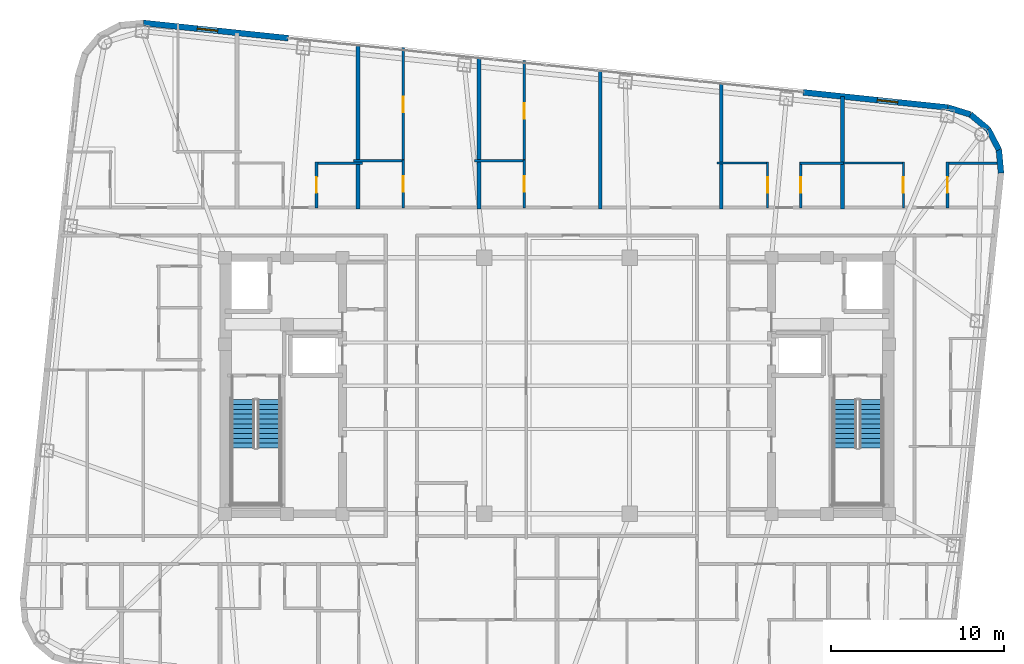
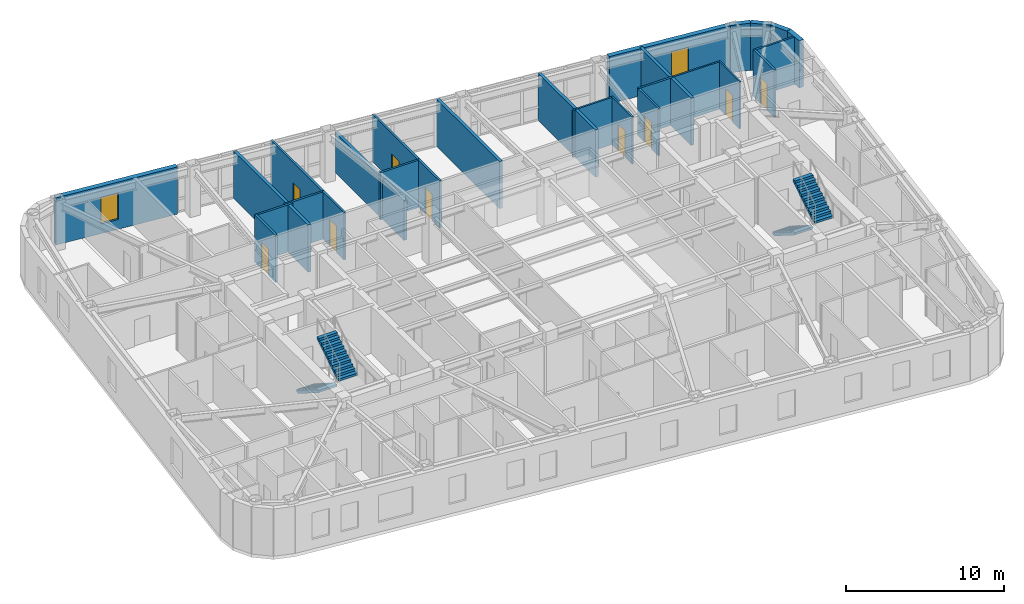
# One storey, part 13 of 16: 27 walls, 9 doors, 4 stair flights, 2 windows, 11 openings, 2 elements without a shape of their own.
"""IFC4 building model written with IfcOpenShell, lengths in metres."""

from ifc_helpers import new_model, si_unit, direction, frame, frame_2d, origin, place, context, subcontext, project, spatial, polyline, rectangle, outline, extrude, material, layer, layer_set, type_object, element, fill, aggregate, save


model = new_model("IFC4")

# Units and contexts
model_context = context("Model", 3, precision=1e-05, world=origin(), true_north=direction((0.0, 1.0)))
body_context = subcontext(model_context, "Body", "Model", "MODEL_VIEW")
ifc_project = project(units=[si_unit("LENGTHUNIT", "METRE"), si_unit("AREAUNIT", "SQUARE_METRE"), si_unit("VOLUMEUNIT", "CUBIC_METRE"), si_unit("PLANEANGLEUNIT", "RADIAN"), si_unit("MASSUNIT", "GRAM", prefix="KILO")], contexts=[model_context])

# Site, building, storey
site_placement = place(None, origin())
site = spatial("IfcSite", under=ifc_project, at=site_placement, CompositionType="ELEMENT")
building_placement = place(site_placement, origin())
building = spatial("IfcBuilding", under=site, at=building_placement, Name="Voryun Gate Residences", CompositionType="ELEMENT")
storey_placement = place(building_placement, frame((0.0, 0.0, 267.800048828125)))
storey = spatial("IfcBuildingStorey", under=building, at=storey_placement, Name="L66", CompositionType="ELEMENT", Elevation=267.800048828125)

# Wall, opening, window
ifc_material_1 = material(Name="Charcoal terracotta masonry", Category="masonry")
ifc_layer_1 = layer(ifc_material_1, 0.340087890625, Name="W_EXT_TERRACOTTA_340")
ifc_layer_set_1 = layer_set([ifc_layer_1], Name="Charcoal terracotta masonry")
wall_type_1 = type_object("IfcWallType", Name="W_EXT_TERRACOTTA_340", PredefinedType="ELEMENTEDWALL", material=ifc_layer_set_1)
wall_1_placement = place(storey_placement, frame((-23.90771484375, 20.97216796875, 0.0), z_axis=(0.0, 0.0, 1.0), x_axis=(0.994522285292, -0.104524753323, 0.0)))
wall_1 = element("IfcWall", 1, at=wall_1_placement, inside=storey, type_object=wall_type_1, Name="Exterior wall WEXT-L66-11A", PredefinedType="ELEMENTEDWALL", context=body_context, shape_type="SweptSolid", body=[
    extrude(rectangle(XDim=8.41796875, YDim=0.340087890625, at=frame_2d((4.208984375, 0.0))), origin(), (0.0, 0.0, 1.0), 3.64990234375),
])
opening_1_placement = place(wall_1_placement, frame((3.12548828125, 0.0, 0.75)))
opening_1 = element("IfcOpeningElement", 2, at=opening_1_placement, cuts=wall_1, Name="Opening WN6", PredefinedType="OPENING", context=body_context, shape_type="SweptSolid", body=[
    extrude(rectangle(XDim=1.199951171875, YDim=2.050048828125, at=frame_2d((0.60009765625, 1.02490234375))), frame((0.0, 0.179931640625, 0.0), z_axis=(0.0, -1.0, 0.0), x_axis=(1.0, 0.0, 0.0)), (0.0, 0.0, 1.0), 0.360107421875),
])
ifc_material_2 = material(Name="Laminated low-E glass", Category="glass")
window_type = type_object("IfcWindowType", Name="WN_POD_SLOT_1200", PartitioningType="SINGLE_PANEL", PredefinedType="WINDOW", material=ifc_material_2)
window_1_placement = place(opening_1_placement, origin())
window_1 = element("IfcWindow", 3, at=window_1_placement, inside=storey, type_object=window_type, Name="Window WN-L66-DWFIX-02", OverallHeight=2.050048828125, OverallWidth=1.199951171875, PartitioningType="SINGLE_PANEL", PredefinedType="WINDOW", context=body_context, shape_type="SweptSolid", body=[
    extrude(rectangle(XDim=1.199951171875, YDim=2.050048828125, at=frame_2d((0.60009765625, 1.02490234375))), frame((0.0, 0.030029296875, 0.0), z_axis=(0.0, -1.0, 0.0), x_axis=(1.0, 0.0, 0.0)), (0.0, 0.0, 1.0), 0.06005859375),
])
fill(opening_1, window_1)

wall_2_placement = place(storey_placement, frame((14.230712890625, 16.963623046875, 0.0), z_axis=(0.0, 0.0, 1.0), x_axis=(0.994522285292, -0.104524753323, 0.0)))
wall_2 = element("IfcWall", 4, at=wall_2_placement, inside=storey, type_object=wall_type_1, Name="Exterior wall WEXT-L66-11B", PredefinedType="ELEMENTEDWALL", context=body_context, shape_type="SweptSolid", body=[
    extrude(rectangle(XDim=8.41796875, YDim=0.340087890625, at=frame_2d((4.208984375, 0.0))), origin(), (0.0, 0.0, 1.0), 3.64990234375),
])
opening_2_placement = place(wall_2_placement, frame((4.3046875, 0.0, 0.75)))
opening_2 = element("IfcOpeningElement", 5, at=opening_2_placement, cuts=wall_2, Name="Opening WN6", PredefinedType="OPENING", context=body_context, shape_type="SweptSolid", body=[
    extrude(rectangle(XDim=1.199951171875, YDim=2.050048828125, at=frame_2d((0.60009765625, 1.02490234375))), frame((0.0, 0.179931640625, 0.0), z_axis=(0.0, -1.0, 0.0), x_axis=(1.0, 0.0, 0.0)), (0.0, 0.0, 1.0), 0.360107421875),
])
window_2_placement = place(opening_2_placement, origin())
window_2 = element("IfcWindow", 6, at=window_2_placement, inside=storey, type_object=window_type, Name="Window WN-L66-DWFIX-03", OverallHeight=2.050048828125, OverallWidth=1.199951171875, PartitioningType="SINGLE_PANEL", PredefinedType="WINDOW", context=body_context, shape_type="SweptSolid", body=[
    extrude(rectangle(XDim=1.199951171875, YDim=2.050048828125, at=frame_2d((0.60009765625, 1.02490234375))), frame((0.0, 0.030029296875, 0.0), z_axis=(0.0, -1.0, 0.0), x_axis=(1.0, 0.0, 0.0)), (0.0, 0.0, 1.0), 0.06005859375),
])
fill(opening_2, window_2)

# Walls
wall_3_placement = place(storey_placement, frame((22.6025390625, 16.083740234375, 0.0), z_axis=(0.0, 0.0, 1.0), x_axis=(0.955007802701, -0.296580674994, 0.0)))
element("IfcWall", 7, at=wall_3_placement, inside=storey, type_object=wall_type_1, Name="Exterior wall WEXT-L66-12", PredefinedType="ELEMENTEDWALL", context=body_context, shape_type="SweptSolid", body=[
    extrude(rectangle(XDim=1.354248046875, YDim=0.340087890625, at=frame_2d((0.67724609375, 0.0))), origin(), (0.0, 0.0, 1.0), 3.64990234375),
])
for number, where, z_axis, x_axis, name in (
    (8, (23.895751953125, 15.68212890625, 0.0), (0.0, 0.0, 1.0), (0.768789762863, -0.639501603217, 0.0), "Exterior wall WEXT-L66-13"),
    (9, (24.923583984375, 14.8271484375, 0.0), (0.0, 0.0, 1.0), (0.46567116636, -0.884957832228, 0.0), "Exterior wall WEXT-L66-14"),
):
    element("IfcWall", number, at=place(storey_placement, frame(where, z_axis=z_axis, x_axis=x_axis)), inside=storey, type_object=wall_type_1, Name=name, PredefinedType="ELEMENTEDWALL", context=body_context, shape_type="SweptSolid", body=[
        extrude(rectangle(XDim=1.3369140625, YDim=0.340087890625, at=frame_2d((0.66845703125, 0.0))), origin(), (0.0, 0.0, 1.0), 3.64990234375),
    ])
wall_4_placement = place(storey_placement, frame((25.546142578125, 13.64404296875, 0.0), z_axis=(0.0, 0.0, 1.0), x_axis=(0.091592370975, -0.995796584438, 0.0)))
element("IfcWall", 10, at=wall_4_placement, inside=storey, type_object=wall_type_1, Name="Exterior wall WEXT-L66-15", PredefinedType="ELEMENTEDWALL", context=body_context, shape_type="SweptSolid", body=[
    extrude(rectangle(XDim=1.35400390625, YDim=0.340087890625, at=frame_2d((0.677001953125, 0.0))), origin(), (0.0, 0.0, 1.0), 3.64990234375),
])
ifc_material_3 = material(Name="Concrete C40/50", Category="concrete")
ifc_layer_2 = layer(ifc_material_3, 0.219970703125, Name="W_PARTY_ACOUSTIC_220")
ifc_layer_set_2 = layer_set([ifc_layer_2], Name="Concrete C40/50")
wall_type_2 = type_object("IfcWallType", Name="W_PARTY_ACOUSTIC_220", PredefinedType="PARTITIONING", material=ifc_layer_set_2)
wall_5_placement = place(storey_placement, frame((-11.5, 10.219970703125, 0.0), z_axis=(0.0, 0.0, 1.0), x_axis=(0.0, 1.0, 0.0)))
element("IfcWall", 11, at=wall_5_placement, inside=storey, type_object=wall_type_2, Name="Partition wall WP-L66-NPTY-2", PredefinedType="PARTITIONING", context=body_context, shape_type="SweptSolid", body=[
    extrude(rectangle(XDim=9.447998046875, YDim=0.219970703125, at=frame_2d((4.72412109375, 0.0))), origin(), (0.0, 0.0, 1.0), 3.64990234375),
])
wall_6_placement = place(storey_placement, frame((-4.5, 10.219970703125, 0.0), z_axis=(0.0, 0.0, 1.0), x_axis=(0.0, 1.0, 0.0)))
element("IfcWall", 12, at=wall_6_placement, inside=storey, type_object=wall_type_2, Name="Partition wall WP-L66-NPTY-3", PredefinedType="PARTITIONING", context=body_context, shape_type="SweptSolid", body=[
    extrude(rectangle(XDim=8.71240234375, YDim=0.219970703125, at=frame_2d((4.356201171875, 0.0))), origin(), (0.0, 0.0, 1.0), 3.08984375),
])
wall_7_placement = place(storey_placement, frame((2.5, 10.219970703125, 0.0), z_axis=(0.0, 0.0, 1.0), x_axis=(0.0, 1.0, 0.0)))
element("IfcWall", 13, at=wall_7_placement, inside=storey, type_object=wall_type_2, Name="Partition wall WP-L66-NPTY-4", PredefinedType="PARTITIONING", context=body_context, shape_type="SweptSolid", body=[
    extrude(rectangle(XDim=7.9765625, YDim=0.219970703125, at=frame_2d((3.98828125, 0.0))), origin(), (0.0, 0.0, 1.0), 3.64990234375),
])
wall_8_placement = place(storey_placement, frame((9.5, 10.219970703125, 0.0), z_axis=(0.0, 0.0, 1.0), x_axis=(0.0, 1.0, 0.0)))
element("IfcWall", 14, at=wall_8_placement, inside=storey, type_object=wall_type_2, Name="Partition wall WP-L66-NPTY-5", PredefinedType="PARTITIONING", context=body_context, shape_type="SweptSolid", body=[
    extrude(rectangle(XDim=7.240966796875, YDim=0.219970703125, at=frame_2d((3.62060546875, 0.0))), origin(), (0.0, 0.0, 1.0), 3.64990234375),
])
wall_9_placement = place(storey_placement, frame((16.5, 10.219970703125, 0.0), z_axis=(0.0, 0.0, 1.0), x_axis=(0.0, 1.0, 0.0)))
element("IfcWall", 15, at=wall_9_placement, inside=storey, type_object=wall_type_2, Name="Partition wall WP-L66-NPTY-6", PredefinedType="PARTITIONING", context=body_context, shape_type="SweptSolid", body=[
    extrude(rectangle(XDim=6.505126953125, YDim=0.219970703125, at=frame_2d((3.25244140625, 0.0))), origin(), (0.0, 0.0, 1.0), 3.64990234375),
])

# Wall, opening, door
ifc_material_4 = material(Name="Gypsum acoustic partition")
ifc_layer_3 = layer(ifc_material_4, 0.125, Name="W_UNIT_PART_125")
ifc_layer_set_3 = layer_set([ifc_layer_3], Name="Gypsum acoustic partition")
wall_type_3 = type_object("IfcWallType", Name="W_UNIT_PART_125", PredefinedType="PARTITIONING", material=ifc_layer_set_3)
wall_10_placement = place(storey_placement, frame((12.174072265625, 10.280029296875, 0.0), z_axis=(0.0, 0.0, 1.0), x_axis=(0.0, 1.0, 0.0)))
wall_10 = element("IfcWall", 16, at=wall_10_placement, inside=storey, type_object=wall_type_3, Name="Partition wall WP-L66-N6-CVK", PredefinedType="PARTITIONING", context=body_context, shape_type="SweptSolid", body=[
    extrude(rectangle(XDim=2.64990234375, YDim=0.125, at=frame_2d((1.324951171875, 0.0))), origin(), (0.0, 0.0, 1.0), 3.64990234375),
])
opening_3_placement = place(wall_10_placement, frame((0.875, 0.0, 0.0)))
opening_3 = element("IfcOpeningElement", 17, at=opening_3_placement, cuts=wall_10, Name="Opening D-INT-2", PredefinedType="OPENING", context=body_context, shape_type="SweptSolid", body=[
    extrude(rectangle(XDim=0.89990234375, YDim=2.050048828125, at=frame_2d((0.449951171875, 1.02490234375))), frame((0.0, 0.072509765625, 0.0), z_axis=(0.0, -1.0, 0.0), x_axis=(1.0, 0.0, 0.0)), (0.0, 0.0, 1.0), 0.14501953125),
])
ifc_material_5 = material(Name="Architectural oak veneer")
door_type = type_object("IfcDoorType", Name="DR_INT_BATH_900", OperationType="NOTDEFINED", PredefinedType="DOOR", material=ifc_material_5)
door_1_placement = place(opening_3_placement, origin())
door_1 = element("IfcDoor", 18, at=door_1_placement, inside=storey, type_object=door_type, Name="Door DR-L66-N6-DK", OperationType="SINGLE_SWING_LEFT", OverallHeight=2.050048828125, OverallWidth=0.89990234375, PredefinedType="DOOR", context=body_context, shape_type="SweptSolid", body=[
    extrude(rectangle(XDim=0.89990234375, YDim=2.050048828125, at=frame_2d((0.449951171875, 1.02490234375))), frame((0.0, 0.02490234375, 0.0), z_axis=(0.0, -1.0, 0.0), x_axis=(1.0, 0.0, 0.0)), (0.0, 0.0, 1.0), 0.050048828125),
])
fill(opening_3, door_1)

# Wall
wall_11_placement = place(storey_placement, frame((9.239990234375, 12.8701171875, 0.0), z_axis=(0.0, 0.0, 1.0), x_axis=(1.0, 0.0, 0.0)))
element("IfcWall", 19, at=wall_11_placement, inside=storey, type_object=wall_type_3, Name="Partition wall WP-L66-N6-CHK", PredefinedType="PARTITIONING", context=body_context, shape_type="SweptSolid", body=[
    extrude(rectangle(XDim=2.993896484375, YDim=0.125, at=frame_2d((1.4970703125, 0.0))), origin(), (0.0, 0.0, 1.0), 3.64990234375),
])

# Wall, opening, door
wall_12_placement = place(storey_placement, frame((20.02392578125, 10.280029296875, 0.0), z_axis=(0.0, 0.0, 1.0), x_axis=(0.0, 1.0, 0.0)))
wall_12 = element("IfcWall", 20, at=wall_12_placement, inside=storey, type_object=wall_type_3, Name="Partition wall WP-L66-N7-CVK", PredefinedType="PARTITIONING", context=body_context, shape_type="SweptSolid", body=[
    extrude(rectangle(XDim=2.64990234375, YDim=0.125, at=frame_2d((1.324951171875, 0.0))), origin(), (0.0, 0.0, 1.0), 3.64990234375),
])
opening_4_placement = place(wall_12_placement, frame((0.875, 0.0, 0.0)))
opening_4 = element("IfcOpeningElement", 21, at=opening_4_placement, cuts=wall_12, Name="Opening D-INT-2", PredefinedType="OPENING", context=body_context, shape_type="SweptSolid", body=[
    extrude(rectangle(XDim=0.89990234375, YDim=2.050048828125, at=frame_2d((0.449951171875, 1.02490234375))), frame((0.0, 0.072509765625, 0.0), z_axis=(0.0, -1.0, 0.0), x_axis=(1.0, 0.0, 0.0)), (0.0, 0.0, 1.0), 0.14501953125),
])
door_2_placement = place(opening_4_placement, origin())
door_2 = element("IfcDoor", 22, at=door_2_placement, inside=storey, type_object=door_type, Name="Door DR-L66-N7-DK", OperationType="SINGLE_SWING_LEFT", OverallHeight=2.050048828125, OverallWidth=0.89990234375, PredefinedType="DOOR", context=body_context, shape_type="SweptSolid", body=[
    extrude(rectangle(XDim=0.89990234375, YDim=2.050048828125, at=frame_2d((0.449951171875, 1.02490234375))), frame((0.0, 0.02490234375, 0.0), z_axis=(0.0, -1.0, 0.0), x_axis=(1.0, 0.0, 0.0)), (0.0, 0.0, 1.0), 0.050048828125),
])
fill(opening_4, door_2)

# Wall
wall_13_placement = place(storey_placement, frame((16.425048828125, 12.8701171875, 0.0), z_axis=(0.0, 0.0, 1.0), x_axis=(1.0, 0.0, 0.0)))
element("IfcWall", 23, at=wall_13_placement, inside=storey, type_object=wall_type_3, Name="Partition wall WP-L66-N7-CHK", PredefinedType="PARTITIONING", context=body_context, shape_type="SweptSolid", body=[
    extrude(rectangle(XDim=3.658935546875, YDim=0.125, at=frame_2d((1.82958984375, 0.0))), origin(), (0.0, 0.0, 1.0), 3.64990234375),
])

# Wall, opening, door
ifc_material_6 = material(Name="Gypsum moisture-resistant partition")
ifc_layer_4 = layer(ifc_material_6, 0.14990234375, Name="W_WET_PLUMB_150")
ifc_layer_set_4 = layer_set([ifc_layer_4], Name="Gypsum moisture-resistant partition")
wall_type_4 = type_object("IfcWallType", Name="W_WET_PLUMB_150", PredefinedType="PLUMBINGWALL", material=ifc_layer_set_4)
wall_14_placement = place(storey_placement, frame((-13.89892578125, 10.280029296875, 0.0), z_axis=(0.0, 0.0, 1.0), x_axis=(0.0, 1.0, 0.0)))
wall_14 = element("IfcWall", 24, at=wall_14_placement, inside=storey, type_object=wall_type_4, Name="Partition wall WP-L66-N2-CVB", PredefinedType="PLUMBINGWALL", context=body_context, shape_type="SweptSolid", body=[
    extrude(rectangle(XDim=2.64990234375, YDim=0.14990234375, at=frame_2d((1.324951171875, 0.0))), origin(), (0.0, 0.0, 1.0), 3.64990234375),
])
opening_5_placement = place(wall_14_placement, frame((0.875, 0.0, 0.0)))
opening_5 = element("IfcOpeningElement", 25, at=opening_5_placement, cuts=wall_14, Name="Opening D-INT-2", PredefinedType="OPENING", context=body_context, shape_type="SweptSolid", body=[
    extrude(rectangle(XDim=0.89990234375, YDim=2.050048828125, at=frame_2d((0.449951171875, 1.02490234375))), frame((0.0, 0.0849609375, 0.0), z_axis=(0.0, -1.0, 0.0), x_axis=(1.0, 0.0, 0.0)), (0.0, 0.0, 1.0), 0.169921875),
])
door_3_placement = place(opening_5_placement, origin())
door_3 = element("IfcDoor", 26, at=door_3_placement, inside=storey, type_object=door_type, Name="Door DR-L66-N2-DB", OperationType="SINGLE_SWING_RIGHT", OverallHeight=2.050048828125, OverallWidth=0.89990234375, PredefinedType="DOOR", context=body_context, shape_type="SweptSolid", body=[
    extrude(rectangle(XDim=0.89990234375, YDim=2.050048828125, at=frame_2d((0.449951171875, 1.02490234375))), frame((0.0, 0.02490234375, 0.0), z_axis=(0.0, -1.0, 0.0), x_axis=(1.0, 0.0, 0.0)), (0.0, 0.0, 1.0), 0.050048828125),
])
fill(opening_5, door_3)

# Walls
wall_15_placement = place(storey_placement, frame((-13.958984375, 12.8701171875, 0.0), z_axis=(0.0, 0.0, 1.0), x_axis=(1.0, 0.0, 0.0)))
element("IfcWall", 27, at=wall_15_placement, inside=storey, type_object=wall_type_4, Name="Partition wall WP-L66-N2-CHB", PredefinedType="PLUMBINGWALL", context=body_context, shape_type="SweptSolid", body=[
    extrude(rectangle(XDim=2.718994140625, YDim=0.14990234375, at=frame_2d((1.359375, 0.0))), origin(), (0.0, 0.0, 1.0), 3.64990234375),
])
wall_16_placement = place(storey_placement, frame((-11.760009765625, 13.0, 0.0), z_axis=(0.0, 0.0, 1.0), x_axis=(1.0, 0.0, 0.0)))
element("IfcWall", 28, at=wall_16_placement, inside=storey, type_object=wall_type_4, Name="Partition wall WP-L66-N3-SKB", PredefinedType="PLUMBINGWALL", context=body_context, shape_type="SweptSolid", body=[
    extrude(rectangle(XDim=2.949951171875, YDim=0.14990234375, at=frame_2d((1.47509765625, 0.0))), origin(), (0.0, 0.0, 1.0), 3.64990234375),
])

# Wall, opening, door
wall_17_placement = place(storey_placement, frame((-8.889892578125, 10.280029296875, 0.0), z_axis=(0.0, 0.0, 1.0), x_axis=(0.0, 1.0, 0.0)))
wall_17 = element("IfcWall", 29, at=wall_17_placement, inside=storey, type_object=wall_type_4, Name="Partition wall WP-L66-N3-SVT1", PredefinedType="PLUMBINGWALL", context=body_context, shape_type="SweptSolid", body=[
    extrude(rectangle(XDim=2.760009765625, YDim=0.14990234375, at=frame_2d((1.3798828125, 0.0))), origin(), (0.0, 0.0, 1.0), 3.64990234375),
])
opening_6_placement = place(wall_17_placement, frame((0.929931640625, 0.0, 0.0)))
opening_6 = element("IfcOpeningElement", 30, at=opening_6_placement, cuts=wall_17, Name="Opening D-INT-2", PredefinedType="OPENING", context=body_context, shape_type="SweptSolid", body=[
    extrude(rectangle(XDim=0.89990234375, YDim=2.050048828125, at=frame_2d((0.449951171875, 1.02490234375))), frame((0.0, 0.0849609375, 0.0), z_axis=(0.0, -1.0, 0.0), x_axis=(1.0, 0.0, 0.0)), (0.0, 0.0, 1.0), 0.169921875),
])
door_4_placement = place(opening_6_placement, origin())
door_4 = element("IfcDoor", 31, at=door_4_placement, inside=storey, type_object=door_type, Name="Door DR-L66-N3-DB", OperationType="SINGLE_SWING_LEFT", OverallHeight=2.050048828125, OverallWidth=0.89990234375, PredefinedType="DOOR", context=body_context, shape_type="SweptSolid", body=[
    extrude(rectangle(XDim=0.89990234375, YDim=2.050048828125, at=frame_2d((0.449951171875, 1.02490234375))), frame((0.0, 0.02490234375, 0.0), z_axis=(0.0, -1.0, 0.0), x_axis=(1.0, 0.0, 0.0)), (0.0, 0.0, 1.0), 0.050048828125),
])
fill(opening_6, door_4)

wall_18_placement = place(storey_placement, frame((-8.889892578125, 12.9599609375, 0.0), z_axis=(0.0, 0.0, 1.0), x_axis=(0.0, 1.0, 0.0)))
wall_18 = element("IfcWall", 32, at=wall_18_placement, inside=storey, type_object=wall_type_4, Name="Partition wall WP-L66-N3-SVT2", PredefinedType="PLUMBINGWALL", context=body_context, shape_type="SweptSolid", body=[
    extrude(rectangle(XDim=6.584716796875, YDim=0.14990234375, at=frame_2d((3.29248046875, 0.0))), origin(), (0.0, 0.0, 1.0), 3.64990234375),
])
opening_7_placement = place(wall_18_placement, frame((2.84228515625, 0.0, 0.0)))
opening_7 = element("IfcOpeningElement", 33, at=opening_7_placement, cuts=wall_18, Name="Opening D-INT-2", PredefinedType="OPENING", context=body_context, shape_type="SweptSolid", body=[
    extrude(rectangle(XDim=0.89990234375, YDim=2.050048828125, at=frame_2d((0.449951171875, 1.02490234375))), frame((0.0, 0.0849609375, 0.0), z_axis=(0.0, -1.0, 0.0), x_axis=(1.0, 0.0, 0.0)), (0.0, 0.0, 1.0), 0.169921875),
])
door_5_placement = place(opening_7_placement, origin())
door_5 = element("IfcDoor", 34, at=door_5_placement, inside=storey, type_object=door_type, Name="Door DR-L66-N3-DK", OperationType="SINGLE_SWING_RIGHT", OverallHeight=2.050048828125, OverallWidth=0.89990234375, PredefinedType="DOOR", context=body_context, shape_type="SweptSolid", body=[
    extrude(rectangle(XDim=0.89990234375, YDim=2.050048828125, at=frame_2d((0.449951171875, 1.02490234375))), frame((0.0, 0.02490234375, 0.0), z_axis=(0.0, -1.0, 0.0), x_axis=(1.0, 0.0, 0.0)), (0.0, 0.0, 1.0), 0.050048828125),
])
fill(opening_7, door_5)

# Wall
wall_19_placement = place(storey_placement, frame((-4.760009765625, 13.0, 0.0), z_axis=(0.0, 0.0, 1.0), x_axis=(1.0, 0.0, 0.0)))
element("IfcWall", 35, at=wall_19_placement, inside=storey, type_object=wall_type_4, Name="Partition wall WP-L66-N4-SKB", PredefinedType="PLUMBINGWALL", context=body_context, shape_type="SweptSolid", body=[
    extrude(rectangle(XDim=2.949951171875, YDim=0.14990234375, at=frame_2d((1.47509765625, 0.0))), origin(), (0.0, 0.0, 1.0), 3.64990234375),
])

# Wall, opening, door
wall_20_placement = place(storey_placement, frame((-1.889892578125, 10.280029296875, 0.0), z_axis=(0.0, 0.0, 1.0), x_axis=(0.0, 1.0, 0.0)))
wall_20 = element("IfcWall", 36, at=wall_20_placement, inside=storey, type_object=wall_type_4, Name="Partition wall WP-L66-N4-SVT1", PredefinedType="PLUMBINGWALL", context=body_context, shape_type="SweptSolid", body=[
    extrude(rectangle(XDim=2.760009765625, YDim=0.14990234375, at=frame_2d((1.3798828125, 0.0))), origin(), (0.0, 0.0, 1.0), 3.64990234375),
])
opening_8_placement = place(wall_20_placement, frame((0.929931640625, 0.0, 0.0)))
opening_8 = element("IfcOpeningElement", 37, at=opening_8_placement, cuts=wall_20, Name="Opening D-INT-2", PredefinedType="OPENING", context=body_context, shape_type="SweptSolid", body=[
    extrude(rectangle(XDim=0.89990234375, YDim=2.050048828125, at=frame_2d((0.449951171875, 1.02490234375))), frame((0.0, 0.0849609375, 0.0), z_axis=(0.0, -1.0, 0.0), x_axis=(1.0, 0.0, 0.0)), (0.0, 0.0, 1.0), 0.169921875),
])
door_6_placement = place(opening_8_placement, origin())
door_6 = element("IfcDoor", 38, at=door_6_placement, inside=storey, type_object=door_type, Name="Door DR-L66-N4-DB", OperationType="SINGLE_SWING_LEFT", OverallHeight=2.050048828125, OverallWidth=0.89990234375, PredefinedType="DOOR", context=body_context, shape_type="SweptSolid", body=[
    extrude(rectangle(XDim=0.89990234375, YDim=2.050048828125, at=frame_2d((0.449951171875, 1.02490234375))), frame((0.0, 0.02490234375, 0.0), z_axis=(0.0, -1.0, 0.0), x_axis=(1.0, 0.0, 0.0)), (0.0, 0.0, 1.0), 0.050048828125),
])
fill(opening_8, door_6)

wall_21_placement = place(storey_placement, frame((-1.889892578125, 12.9599609375, 0.0), z_axis=(0.0, 0.0, 1.0), x_axis=(0.0, 1.0, 0.0)))
wall_21 = element("IfcWall", 39, at=wall_21_placement, inside=storey, type_object=wall_type_4, Name="Partition wall WP-L66-N4-SVT2", PredefinedType="PLUMBINGWALL", context=body_context, shape_type="SweptSolid", body=[
    extrude(rectangle(XDim=5.848876953125, YDim=0.14990234375, at=frame_2d((2.92431640625, 0.0))), origin(), (0.0, 0.0, 1.0), 3.64990234375),
])
opening_9_placement = place(wall_21_placement, frame((2.474365234375, 0.0, 0.0)))
opening_9 = element("IfcOpeningElement", 40, at=opening_9_placement, cuts=wall_21, Name="Opening D-INT-2", PredefinedType="OPENING", context=body_context, shape_type="SweptSolid", body=[
    extrude(rectangle(XDim=0.89990234375, YDim=2.050048828125, at=frame_2d((0.449951171875, 1.02490234375))), frame((0.0, 0.0849609375, 0.0), z_axis=(0.0, -1.0, 0.0), x_axis=(1.0, 0.0, 0.0)), (0.0, 0.0, 1.0), 0.169921875),
])
door_7_placement = place(opening_9_placement, origin())
door_7 = element("IfcDoor", 41, at=door_7_placement, inside=storey, type_object=door_type, Name="Door DR-L66-N4-DK", OperationType="SINGLE_SWING_RIGHT", OverallHeight=2.050048828125, OverallWidth=0.89990234375, PredefinedType="DOOR", context=body_context, shape_type="SweptSolid", body=[
    extrude(rectangle(XDim=0.89990234375, YDim=2.050048828125, at=frame_2d((0.449951171875, 1.02490234375))), frame((0.0, 0.02490234375, 0.0), z_axis=(0.0, -1.0, 0.0), x_axis=(1.0, 0.0, 0.0)), (0.0, 0.0, 1.0), 0.050048828125),
])
fill(opening_9, door_7)

wall_22_placement = place(storey_placement, frame((14.10107421875, 10.280029296875, 0.0), z_axis=(0.0, 0.0, 1.0), x_axis=(0.0, 1.0, 0.0)))
wall_22 = element("IfcWall", 42, at=wall_22_placement, inside=storey, type_object=wall_type_4, Name="Partition wall WP-L66-N6-CVB", PredefinedType="PLUMBINGWALL", context=body_context, shape_type="SweptSolid", body=[
    extrude(rectangle(XDim=2.64990234375, YDim=0.14990234375, at=frame_2d((1.324951171875, 0.0))), origin(), (0.0, 0.0, 1.0), 3.64990234375),
])
opening_10_placement = place(wall_22_placement, frame((0.875, 0.0, 0.0)))
opening_10 = element("IfcOpeningElement", 43, at=opening_10_placement, cuts=wall_22, Name="Opening D-INT-2", PredefinedType="OPENING", context=body_context, shape_type="SweptSolid", body=[
    extrude(rectangle(XDim=0.89990234375, YDim=2.050048828125, at=frame_2d((0.449951171875, 1.02490234375))), frame((0.0, 0.0849609375, 0.0), z_axis=(0.0, -1.0, 0.0), x_axis=(1.0, 0.0, 0.0)), (0.0, 0.0, 1.0), 0.169921875),
])
door_8_placement = place(opening_10_placement, origin())
door_8 = element("IfcDoor", 44, at=door_8_placement, inside=storey, type_object=door_type, Name="Door DR-L66-N6-DB", OperationType="SINGLE_SWING_RIGHT", OverallHeight=2.050048828125, OverallWidth=0.89990234375, PredefinedType="DOOR", context=body_context, shape_type="SweptSolid", body=[
    extrude(rectangle(XDim=0.89990234375, YDim=2.050048828125, at=frame_2d((0.449951171875, 1.02490234375))), frame((0.0, 0.02490234375, 0.0), z_axis=(0.0, -1.0, 0.0), x_axis=(1.0, 0.0, 0.0)), (0.0, 0.0, 1.0), 0.050048828125),
])
fill(opening_10, door_8)

# Wall
wall_23_placement = place(storey_placement, frame((14.041015625, 12.8701171875, 0.0), z_axis=(0.0, 0.0, 1.0), x_axis=(1.0, 0.0, 0.0)))
element("IfcWall", 45, at=wall_23_placement, inside=storey, type_object=wall_type_4, Name="Partition wall WP-L66-N6-CHB", PredefinedType="PLUMBINGWALL", context=body_context, shape_type="SweptSolid", body=[
    extrude(rectangle(XDim=2.533935546875, YDim=0.14990234375, at=frame_2d((1.26708984375, 0.0))), origin(), (0.0, 0.0, 1.0), 3.64990234375),
])

# Wall, opening, door
wall_24_placement = place(storey_placement, frame((22.576904296875, 10.280029296875, 0.0), z_axis=(0.0, 0.0, 1.0), x_axis=(0.0, 1.0, 0.0)))
wall_24 = element("IfcWall", 46, at=wall_24_placement, inside=storey, type_object=wall_type_4, Name="Partition wall WP-L66-N7-CVB", PredefinedType="PLUMBINGWALL", context=body_context, shape_type="SweptSolid", body=[
    extrude(rectangle(XDim=2.64990234375, YDim=0.14990234375, at=frame_2d((1.324951171875, 0.0))), origin(), (0.0, 0.0, 1.0), 3.64990234375),
])
opening_11_placement = place(wall_24_placement, frame((0.875, 0.0, 0.0)))
opening_11 = element("IfcOpeningElement", 47, at=opening_11_placement, cuts=wall_24, Name="Opening D-INT-2", PredefinedType="OPENING", context=body_context, shape_type="SweptSolid", body=[
    extrude(rectangle(XDim=0.89990234375, YDim=2.050048828125, at=frame_2d((0.449951171875, 1.02490234375))), frame((0.0, 0.0849609375, 0.0), z_axis=(0.0, -1.0, 0.0), x_axis=(1.0, 0.0, 0.0)), (0.0, 0.0, 1.0), 0.169921875),
])
door_9_placement = place(opening_11_placement, origin())
door_9 = element("IfcDoor", 48, at=door_9_placement, inside=storey, type_object=door_type, Name="Door DR-L66-N7-DB", OperationType="SINGLE_SWING_RIGHT", OverallHeight=2.050048828125, OverallWidth=0.89990234375, PredefinedType="DOOR", context=body_context, shape_type="SweptSolid", body=[
    extrude(rectangle(XDim=0.89990234375, YDim=2.050048828125, at=frame_2d((0.449951171875, 1.02490234375))), frame((0.0, 0.02490234375, 0.0), z_axis=(0.0, -1.0, 0.0), x_axis=(1.0, 0.0, 0.0)), (0.0, 0.0, 1.0), 0.050048828125),
])
fill(opening_11, door_9)

# Wall
wall_25_placement = place(storey_placement, frame((22.51708984375, 12.8701171875, 0.0), z_axis=(0.0, 0.0, 1.0), x_axis=(1.0, 0.0, 0.0)))
element("IfcWall", 49, at=wall_25_placement, inside=storey, type_object=wall_type_4, Name="Partition wall WP-L66-N7-CHB", PredefinedType="PLUMBINGWALL", context=body_context, shape_type="SweptSolid", body=[
    extrude(rectangle(XDim=3.2509765625, YDim=0.14990234375, at=frame_2d((1.62548828125, 0.0))), origin(), (0.0, 0.0, 1.0), 3.64990234375),
])

# Stair, stair flights
ifc_material_7 = material(Name="Concrete C40/50", Category="concrete")
stair_type = type_object("IfcStairType", Name="STR_CORE_DOGLEG_1350", PredefinedType="HALF_TURN_STAIR", material=ifc_material_7)
stair_1_placement = place(storey_placement, origin())
stair_1 = element("IfcStair", 50, at=stair_1_placement, inside=storey, type_object=stair_type, Name="L66 Special Escape Stair ST-W1", PredefinedType="HALF_TURN_STAIR")
ifc_material_8 = material(Name="Concrete C40/50", Category="concrete")
stair_flight_type = type_object("IfcStairFlightType", Name="FLT_CORE_1350", PredefinedType="STRAIGHT", material=ifc_material_8)
stair_flight_1_placement = place(storey_placement, frame((-18.14990234375, -0.800048828125, 0.0), z_axis=(0.0, 0.0, 1.0), x_axis=(0.0, -1.0, 0.0)))
stair_flight_1 = element("IfcStairFlight", 51, at=stair_flight_1_placement, type_object=stair_flight_type, Name="ST-W1 flight 1", NumberOfRisers=11, NumberOfTreads=10, PredefinedType="STRAIGHT", RiserHeight=0.177272727, TreadLength=0.28, context=body_context, shape_type="SweptSolid", body=[
    extrude(outline(polyline([(0.0, 0.0), (0.0, 0.17724609375), (0.280029296875, 0.17724609375), (0.280029296875, 0.3544921875), (0.56005859375, 0.3544921875), (0.56005859375, 0.53173828125), (0.840087890625, 0.53173828125), (0.840087890625, 0.708984375), (1.1201171875, 0.708984375), (1.1201171875, 0.886474609375), (1.39990234375, 0.886474609375), (1.39990234375, 1.063720703125), (1.679931640625, 1.063720703125), (1.679931640625, 1.240966796875), (1.9599609375, 1.240966796875), (1.9599609375, 1.418212890625), (2.239990234375, 1.418212890625), (2.239990234375, 1.595458984375), (2.52001953125, 1.595458984375), (2.52001953125, 1.772705078125), (2.800048828125, 1.772705078125), (2.800048828125, 1.949951171875), (2.800048828125, 1.59521484375), (0.2802734375, 0.0), (0.0, 0.0)])), frame((0.0, 0.675048828125, 0.0), z_axis=(0.0, -1.0, 0.0), x_axis=(1.0, 0.0, 0.0)), (0.0, 0.0, 1.0), 1.35009765625),
])
stair_flight_2_placement = place(storey_placement, frame((-16.64990234375, -3.60009765625, 1.949951171875), z_axis=(0.0, 0.0, 1.0), x_axis=(0.0, 1.0, 0.0)))
stair_flight_2 = element("IfcStairFlight", 52, at=stair_flight_2_placement, type_object=stair_flight_type, Name="ST-W1 flight 2", NumberOfRisers=11, NumberOfTreads=10, PredefinedType="STRAIGHT", RiserHeight=0.177272727, TreadLength=0.28, context=body_context, shape_type="SweptSolid", body=[
    extrude(outline(polyline([(0.0, 0.0), (0.0, 0.17724609375), (0.280029296875, 0.17724609375), (0.280029296875, 0.3544921875), (0.56005859375, 0.3544921875), (0.56005859375, 0.53173828125), (0.840087890625, 0.53173828125), (0.840087890625, 0.708984375), (1.1201171875, 0.708984375), (1.1201171875, 0.886474609375), (1.39990234375, 0.886474609375), (1.39990234375, 1.063720703125), (1.679931640625, 1.063720703125), (1.679931640625, 1.240966796875), (1.9599609375, 1.240966796875), (1.9599609375, 1.418212890625), (2.239990234375, 1.418212890625), (2.239990234375, 1.595458984375), (2.52001953125, 1.595458984375), (2.52001953125, 1.772705078125), (2.800048828125, 1.772705078125), (2.800048828125, 1.949951171875), (2.800048828125, 1.59521484375), (0.2802734375, 0.0), (0.0, 0.0)])), frame((0.0, 0.675048828125, 0.0), z_axis=(0.0, -1.0, 0.0), x_axis=(1.0, 0.0, 0.0)), (0.0, 0.0, 1.0), 1.35009765625),
])
aggregate(stair_1, [stair_flight_1, stair_flight_2])

stair_2_placement = place(storey_placement, origin())
stair_2 = element("IfcStair", 53, at=stair_2_placement, inside=storey, type_object=stair_type, Name="L66 Special Escape Stair ST-E1", PredefinedType="HALF_TURN_STAIR")
stair_flight_3_placement = place(storey_placement, frame((16.64990234375, -0.800048828125, 0.0), z_axis=(0.0, 0.0, 1.0), x_axis=(0.0, -1.0, 0.0)))
stair_flight_3 = element("IfcStairFlight", 54, at=stair_flight_3_placement, type_object=stair_flight_type, Name="ST-E1 flight 1", NumberOfRisers=11, NumberOfTreads=10, PredefinedType="STRAIGHT", RiserHeight=0.177272727, TreadLength=0.28, context=body_context, shape_type="SweptSolid", body=[
    extrude(outline(polyline([(0.0, 0.0), (0.0, 0.17724609375), (0.280029296875, 0.17724609375), (0.280029296875, 0.3544921875), (0.56005859375, 0.3544921875), (0.56005859375, 0.53173828125), (0.840087890625, 0.53173828125), (0.840087890625, 0.708984375), (1.1201171875, 0.708984375), (1.1201171875, 0.886474609375), (1.39990234375, 0.886474609375), (1.39990234375, 1.063720703125), (1.679931640625, 1.063720703125), (1.679931640625, 1.240966796875), (1.9599609375, 1.240966796875), (1.9599609375, 1.418212890625), (2.239990234375, 1.418212890625), (2.239990234375, 1.595458984375), (2.52001953125, 1.595458984375), (2.52001953125, 1.772705078125), (2.800048828125, 1.772705078125), (2.800048828125, 1.949951171875), (2.800048828125, 1.59521484375), (0.2802734375, 0.0), (0.0, 0.0)])), frame((0.0, 0.675048828125, 0.0), z_axis=(0.0, -1.0, 0.0), x_axis=(1.0, 0.0, 0.0)), (0.0, 0.0, 1.0), 1.35009765625),
])
stair_flight_4_placement = place(storey_placement, frame((18.14990234375, -3.60009765625, 1.949951171875), z_axis=(0.0, 0.0, 1.0), x_axis=(0.0, 1.0, 0.0)))
stair_flight_4 = element("IfcStairFlight", 55, at=stair_flight_4_placement, type_object=stair_flight_type, Name="ST-E1 flight 2", NumberOfRisers=11, NumberOfTreads=10, PredefinedType="STRAIGHT", RiserHeight=0.177272727, TreadLength=0.28, context=body_context, shape_type="SweptSolid", body=[
    extrude(outline(polyline([(0.0, 0.0), (0.0, 0.17724609375), (0.280029296875, 0.17724609375), (0.280029296875, 0.3544921875), (0.56005859375, 0.3544921875), (0.56005859375, 0.53173828125), (0.840087890625, 0.53173828125), (0.840087890625, 0.708984375), (1.1201171875, 0.708984375), (1.1201171875, 0.886474609375), (1.39990234375, 0.886474609375), (1.39990234375, 1.063720703125), (1.679931640625, 1.063720703125), (1.679931640625, 1.240966796875), (1.9599609375, 1.240966796875), (1.9599609375, 1.418212890625), (2.239990234375, 1.418212890625), (2.239990234375, 1.595458984375), (2.52001953125, 1.595458984375), (2.52001953125, 1.772705078125), (2.800048828125, 1.772705078125), (2.800048828125, 1.949951171875), (2.800048828125, 1.59521484375), (0.2802734375, 0.0), (0.0, 0.0)])), frame((0.0, 0.675048828125, 0.0), z_axis=(0.0, -1.0, 0.0), x_axis=(1.0, 0.0, 0.0)), (0.0, 0.0, 1.0), 1.35009765625),
])
aggregate(stair_2, [stair_flight_3, stair_flight_4])

save(model, "model.ifc")
